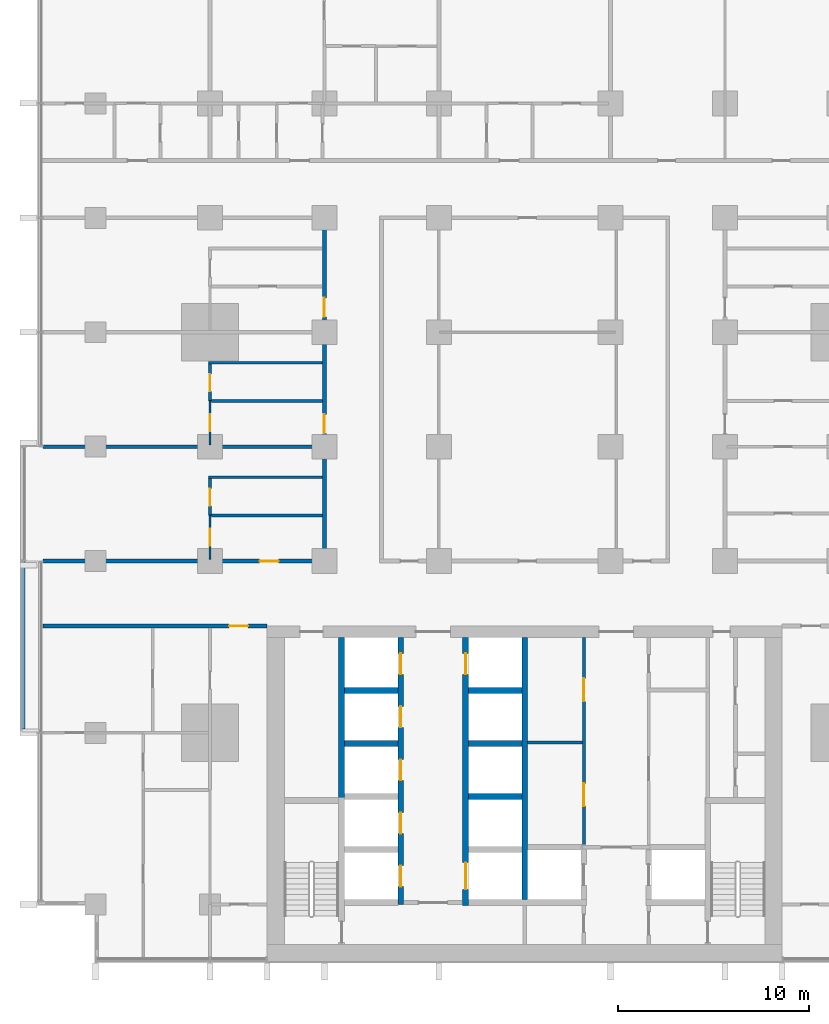
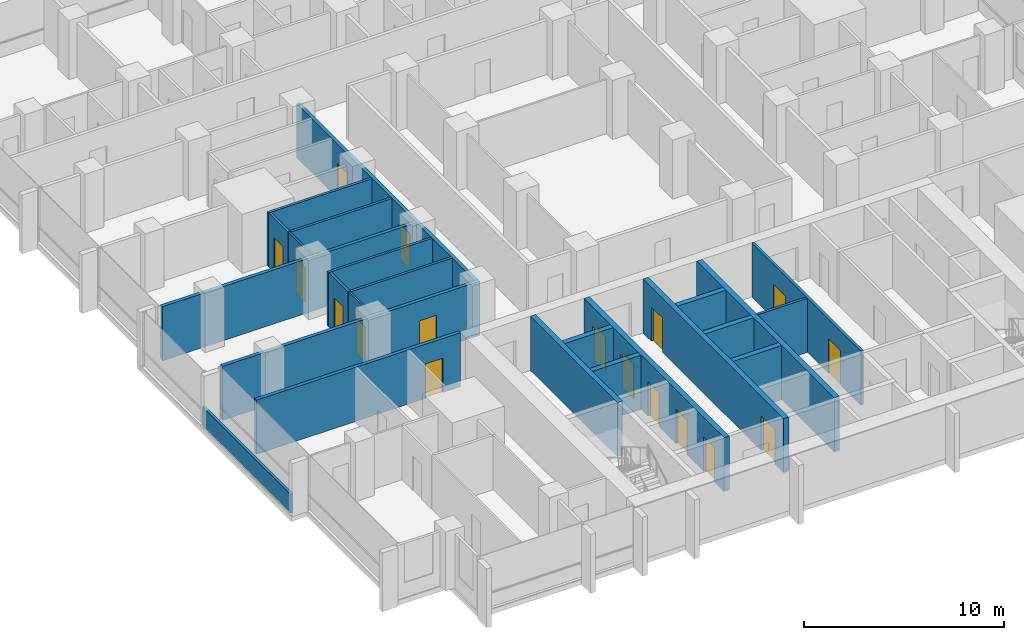
# One storey, part 8 of 17: 24 walls, 17 doors, 17 openings.
"""IFC4 building model written with IfcOpenShell, lengths in metres."""

import ifcopenshell
import ifcopenshell.guid

model = None  # the IFC model being written
_history = None  # IfcOwnerHistory: only IFC2X3 demands one
_inside = {}  # id of a spatial element -> (the spatial element, [elements in it])
_under = {}  # id of a project, library or spatial element -> (it, [spatial elements below it])
_declared = {}  # id of a project -> (the project, [libraries it declares])
_typed = {}  # id of a type object -> (the type object, [elements of that type])
_made_of = {}  # id of a material, layer set ... -> (it, [elements and type objects made of it])


def new_model(schema):
    """Start an empty IFC model of exactly this schema.

    Asked for "IFC4X3", IfcOpenShell would pick the latest addendum, in which some entities
    have other attributes; the version numbers below select the first issue.
    IFC2X3 requires an IfcOwnerHistory on every rooted entity: one is made here for all.
    """
    global model, _history
    if schema == "IFC4X3":
        model = ifcopenshell.file(schema_version=(4, 3, 0, 0))
    else:
        model = ifcopenshell.file(schema=schema)
    _inside.clear()
    _under.clear()
    _declared.clear()
    _typed.clear()
    _made_of.clear()
    _history = None
    if model.schema == "IFC2X3":
        org = make("IfcOrganization", Name="unknown")
        user = make(
            "IfcPersonAndOrganization",
            ThePerson=make("IfcPerson", FamilyName="unknown"),
            TheOrganization=org,
        )
        app = make(
            "IfcApplication",
            ApplicationDeveloper=org,
            Version="unknown",
            ApplicationFullName="unknown",
            ApplicationIdentifier="unknown",
        )
        _history = make(
            "IfcOwnerHistory",
            OwningUser=user,
            OwningApplication=app,
            ChangeAction="ADDED",
            CreationDate=0,
        )
    return model


def make(cls, **values):
    """One entity of the class cls with the attributes given. An attribute that is None is left unset."""
    return model.create_entity(
        cls, **{name: value for name, value in values.items() if value is not None}
    )


def rooted(cls, **values):
    """An entity with a GlobalId (a new one), such as an element, a storey or a relation."""
    return make(cls, GlobalId=ifcopenshell.guid.new(), OwnerHistory=_history, **values)


def si_unit(unit_type, name, prefix=None):
    """IfcSIUnit, for example si_unit("LENGTHUNIT", "METRE", prefix="MILLI")."""
    return make("IfcSIUnit", UnitType=unit_type, Prefix=prefix, Name=name)


def assignment(units):
    """IfcUnitAssignment: the units of a project."""
    return None if units is None else make("IfcUnitAssignment", Units=units)


def point(xyz):
    """IfcCartesianPoint."""
    return None if xyz is None else make("IfcCartesianPoint", Coordinates=xyz)


def direction(xyz):
    """IfcDirection."""
    return None if xyz is None else make("IfcDirection", DirectionRatios=xyz)


def frame(location, z_axis=None, x_axis=None):
    """IfcAxis2Placement3D, a coordinate frame: its origin and axes. An axis left out is left unset."""
    return make(
        "IfcAxis2Placement3D",
        Location=point(location),
        Axis=direction(z_axis),
        RefDirection=direction(x_axis),
    )


def frame_2d(location, x_axis=None):
    """IfcAxis2Placement2D, a coordinate frame in the plane: its origin and x axis."""
    return make(
        "IfcAxis2Placement2D", Location=point(location), RefDirection=direction(x_axis)
    )


def origin():
    """The frame at (0, 0, 0) with its axes left unset."""
    return frame((0.0, 0.0, 0.0))


def place(relative_to, where):
    """IfcLocalPlacement: puts the frame where relative to a parent placement (None: the world)."""
    return make(
        "IfcLocalPlacement", PlacementRelTo=relative_to, RelativePlacement=where
    )


def context(
    kind, dimensions, precision=None, world=None, true_north=None, identifier=None
):
    """IfcGeometricRepresentationContext, for example the 3D "Model" context."""
    return make(
        "IfcGeometricRepresentationContext",
        ContextIdentifier=identifier,
        ContextType=kind,
        CoordinateSpaceDimension=dimensions,
        Precision=precision,
        WorldCoordinateSystem=world,
        TrueNorth=true_north,
    )


def subcontext(parent, identifier, kind, view, scale=None):
    """IfcGeometricRepresentationSubContext, for example "Body" below "Model"."""
    return make(
        "IfcGeometricRepresentationSubContext",
        ContextIdentifier=identifier,
        ContextType=kind,
        ParentContext=parent,
        TargetScale=scale,
        TargetView=view,
    )


def project(units=None, contexts=None):
    """IfcProject with its units and contexts."""
    return rooted(
        "IfcProject",
        Name="project",
        RepresentationContexts=contexts,
        UnitsInContext=assignment(units),
    )


def spatial(cls, under=None, at=None, **own):
    """A site, building, storey or space (cls), placed at a placement, below another one or the project."""
    s = rooted(cls, ObjectPlacement=at, **own)
    if under is not None:
        _under.setdefault(under.id(), (under, []))[1].append(s)
    return s


def profile(cls, at=None, kind="AREA", **sizes):
    """A parametric profile (cls). Its sizes go by their IFC names, for example OverallWidth=200.0."""
    return make(cls, ProfileType=kind, Position=at, **sizes)


def rectangle(**sizes):
    """IfcRectangleProfileDef."""
    return profile("IfcRectangleProfileDef", **sizes)


def extrude(swept, where, along, depth):
    """IfcExtrudedAreaSolid: the profile swept, set in the frame where, extruded along a direction by depth."""
    return make(
        "IfcExtrudedAreaSolid",
        SweptArea=swept,
        Position=where,
        ExtrudedDirection=direction(along),
        Depth=depth,
    )


def shape(context_of_items, identifier, shape_type, items):
    """IfcShapeRepresentation: the items that make up one representation, for example the "Body"."""
    return make(
        "IfcShapeRepresentation",
        ContextOfItems=context_of_items,
        RepresentationIdentifier=identifier,
        RepresentationType=shape_type,
        Items=items,
    )


def material(Name=None, Category=None):
    """IfcMaterial."""
    return make("IfcMaterial", Name=Name, Category=Category)


def layer(
    of_material, thickness, ventilated=None, Name=None, Category=None, Priority=None
):
    """IfcMaterialLayer: one layer of a wall or slab, of a material (None: an air gap)."""
    return make(
        "IfcMaterialLayer",
        Material=of_material,
        LayerThickness=thickness,
        IsVentilated=ventilated,
        Name=Name,
        Category=Category,
        Priority=Priority,
    )


def layer_set(layers, Name=None):
    """IfcMaterialLayerSet."""
    return make("IfcMaterialLayerSet", MaterialLayers=layers, LayerSetName=Name)


def made_of(thing, what):
    """Note that an element or type object is made of a material, layer set ...; save() writes the relation."""
    if what is not None:
        _made_of.setdefault(what.id(), (what, []))[1].append(thing)
    return thing


def type_object(cls, material=None, **own):
    """A type object (cls), such as IfcWallType, which elements share."""
    return made_of(rooted(cls, **own), material)


def element(
    cls,
    number,
    at=None,
    inside=None,
    cuts=None,
    type_object=None,
    material=None,
    context=None,
    identifier="Body",
    shape_type=None,
    held_by="IfcProductDefinitionShape",
    body=None,
    shapes=None,
    **own,
):
    """One element of the class cls, such as IfcWall. Its Tag is "e" and its number.

    at: its placement. inside: the storey or other place that contains it. cuts: it is an
    opening in that element (IfcRelVoidsElement). A single representation is given by context,
    identifier, shape_type and body (its items); several are given by shapes. held_by: the class
    of the entity that holds the representations. save() writes the other relations.
    """
    e = rooted(cls, Tag="e%d" % number, ObjectPlacement=at, **own)
    if body is not None:
        shapes = [shape(context, identifier, shape_type, body)]
    if shapes is not None:
        e.Representation = make(held_by, Representations=shapes)
    if inside is not None:
        _inside.setdefault(inside.id(), (inside, []))[1].append(e)
    if cuts is not None:
        rooted(
            "IfcRelVoidsElement", RelatingBuildingElement=cuts, RelatedOpeningElement=e
        )
    if type_object is not None:
        _typed.setdefault(type_object.id(), (type_object, []))[1].append(e)
    return made_of(e, material)


def fill(opening, filler):
    """IfcRelFillsElement: the door or window that sits in an opening."""
    return rooted(
        "IfcRelFillsElement",
        RelatingOpeningElement=opening,
        RelatedBuildingElement=filler,
    )


def aggregate(whole, parts):
    """IfcRelAggregates: a whole, such as a stair, and the parts it consists of."""
    return rooted("IfcRelAggregates", RelatingObject=whole, RelatedObjects=parts)


def save(model, path):
    """Write the relations noted so far, then the file.

    IfcRelAggregates (storeys below a building ...), IfcRelContainedInSpatialStructure (elements
    in a storey), IfcRelDefinesByType, IfcRelAssociatesMaterial and IfcRelDeclares: one each for
    every whole, place, type object, material and project.
    """
    for whole, parts in _under.values():
        aggregate(whole, parts)
    for where, things in _inside.values():
        rooted(
            "IfcRelContainedInSpatialStructure",
            RelatedElements=things,
            RelatingStructure=where,
        )
    for kind, things in _typed.values():
        rooted("IfcRelDefinesByType", RelatedObjects=things, RelatingType=kind)
    for what, things in _made_of.values():
        rooted("IfcRelAssociatesMaterial", RelatedObjects=things, RelatingMaterial=what)
    for by, libraries in _declared.values():
        rooted("IfcRelDeclares", RelatingContext=by, RelatedDefinitions=libraries)
    model.write(path)


model = new_model("IFC4")

# Units and contexts
model_context = context("Model", 3, precision=1e-05, world=origin(), true_north=direction((0.0, 1.0)))
body_context = subcontext(model_context, "Body", "Model", "MODEL_VIEW")
ifc_project = project(units=[si_unit("LENGTHUNIT", "METRE"), si_unit("AREAUNIT", "SQUARE_METRE"), si_unit("VOLUMEUNIT", "CUBIC_METRE"), si_unit("PLANEANGLEUNIT", "RADIAN"), si_unit("MASSUNIT", "GRAM", prefix="KILO")], contexts=[model_context])

# Site, building, storey
site_placement = place(None, origin())
site = spatial("IfcSite", under=ifc_project, at=site_placement, CompositionType="ELEMENT")
building_placement = place(site_placement, origin())
building = spatial("IfcBuilding", under=site, at=building_placement, Name="Finial Court Residences", CompositionType="ELEMENT")
storey_placement = place(building_placement, frame((0.0, 0.0, 64.89990234375)))
storey = spatial("IfcBuildingStorey", under=building, at=storey_placement, Name="L15", CompositionType="ELEMENT", Elevation=64.89990234375)

# Walls
ifc_material_1 = material(Name="Gypsum board")
ifc_layer_1 = layer(ifc_material_1, 0.02490234375)
ifc_material_2 = material(Name="Acoustic mineral wool in double frame")
ifc_layer_2 = layer(ifc_material_2, 0.14990234375)
ifc_layer_3 = layer(ifc_material_1, 0.02490234375)
ifc_layer_set_1 = layer_set([ifc_layer_1, ifc_layer_2, ifc_layer_3], Name="Acoustic party wall 200, 1 hour")
wall_type_1 = type_object("IfcWallType", Name="Acoustic party wall 200, 1 hour", PredefinedType="PARTITIONING", material=ifc_layer_set_1)
wall_1_placement = place(storey_placement, frame((-25.25, 1.5, 0.0), z_axis=(0.0, 0.0, 1.0), x_axis=(1.0, 0.0, 0.0)))
element("IfcWall", 1, at=wall_1_placement, inside=storey, type_object=wall_type_1, Name="Partition L15-016", PredefinedType="PARTITIONING", context=body_context, shape_type="SweptSolid", body=[
    extrude(rectangle(XDim=14.64990234375, YDim=0.199951171875, at=frame_2d((7.324951171875, 0.0))), origin(), (0.0, 0.0, 1.0), 3.300048828125),
])
ifc_material_3 = material(Name="Fire-rated gypsum board partition")
ifc_layer_4 = layer(ifc_material_3, 0.14990234375)
ifc_layer_set_2 = layer_set([ifc_layer_4], Name="Core room partition 150 EI 60")
wall_type_2 = type_object("IfcWallType", Name="Core room partition 150 EI 60", PredefinedType="PARTITIONING", material=ifc_layer_set_2)
wall_2_placement = place(storey_placement, frame((0.14990234375, -14.0, 0.0), z_axis=(0.0, 0.0, 1.0), x_axis=(1.0, 0.0, 0.0)))
element("IfcWall", 2, at=wall_2_placement, inside=storey, type_object=wall_type_2, Name="Core partition L15-17", PredefinedType="PARTITIONING", context=body_context, shape_type="SweptSolid", body=[
    extrude(rectangle(XDim=2.875, YDim=0.14990234375, at=frame_2d((1.4375, 0.0))), origin(), (0.0, 0.0, 1.0), 3.300048828125),
])

# Wall, openings, doors
wall_3_placement = place(storey_placement, frame((3.10009765625, -19.39990234375, 0.0), z_axis=(0.0, 0.0, 1.0), x_axis=(0.0, 1.0, 0.0)))
wall_3 = element("IfcWall", 3, at=wall_3_placement, inside=storey, type_object=wall_type_2, Name="Core partition L15-29", PredefinedType="PARTITIONING", context=body_context, shape_type="SweptSolid", body=[
    extrude(rectangle(XDim=10.89990234375, YDim=0.14990234375, at=frame_2d((5.449951171875, 0.0))), origin(), (0.0, 0.0, 1.0), 3.300048828125),
])
opening_1_placement = place(wall_3_placement, frame((2.050048828125, 0.0, 0.0)))
opening_1 = element("IfcOpeningElement", 4, at=opening_1_placement, cuts=wall_3, Name="Opening L15-C12", PredefinedType="OPENING", context=body_context, shape_type="SweptSolid", body=[
    extrude(rectangle(XDim=1.199951171875, YDim=2.10009765625, at=frame_2d((0.60009765625, 1.050048828125))), frame((0.0, 0.0849609375, 0.0), z_axis=(0.0, -1.0, 0.0), x_axis=(1.0, 0.0, 0.0)), (0.0, 0.0, 1.0), 0.169921875),
])
opening_2_placement = place(wall_3_placement, frame((7.550048828125, 0.0, 0.0)))
opening_2 = element("IfcOpeningElement", 5, at=opening_2_placement, cuts=wall_3, Name="Opening L15-C13", PredefinedType="OPENING", context=body_context, shape_type="SweptSolid", body=[
    extrude(rectangle(XDim=1.199951171875, YDim=2.10009765625, at=frame_2d((0.60009765625, 1.050048828125))), frame((0.0, 0.0849609375, 0.0), z_axis=(0.0, -1.0, 0.0), x_axis=(1.0, 0.0, 0.0)), (0.0, 0.0, 1.0), 0.169921875),
])
ifc_material_4 = material(Name="Steel fire door", Category="steel")
door_type_1 = type_object("IfcDoorType", Name="Core room door 1200 x 2100 EI 60", OperationType="NOTDEFINED", PredefinedType="DOOR", material=ifc_material_4)
door_1_placement = place(opening_1_placement, origin())
door_1 = element("IfcDoor", 6, at=door_1_placement, inside=storey, type_object=door_type_1, Name="Core room door L15-C12", OperationType="SINGLE_SWING_LEFT", OverallHeight=2.10009765625, OverallWidth=1.199951171875, PredefinedType="DOOR", context=body_context, shape_type="SweptSolid", body=[
    extrude(rectangle(XDim=1.199951171875, YDim=2.10009765625, at=frame_2d((0.60009765625, 1.050048828125))), frame((0.0, 0.02490234375, 0.0), z_axis=(0.0, -1.0, 0.0), x_axis=(1.0, 0.0, 0.0)), (0.0, 0.0, 1.0), 0.050048828125),
])
fill(opening_1, door_1)
door_2_placement = place(opening_2_placement, origin())
door_2 = element("IfcDoor", 7, at=door_2_placement, inside=storey, type_object=door_type_1, Name="Core room door L15-C13", OperationType="SINGLE_SWING_LEFT", OverallHeight=2.10009765625, OverallWidth=1.199951171875, PredefinedType="DOOR", context=body_context, shape_type="SweptSolid", body=[
    extrude(rectangle(XDim=1.199951171875, YDim=2.10009765625, at=frame_2d((0.60009765625, 1.050048828125))), frame((0.0, 0.02490234375, 0.0), z_axis=(0.0, -1.0, 0.0), x_axis=(1.0, 0.0, 0.0)), (0.0, 0.0, 1.0), 0.050048828125),
])
fill(opening_2, door_2)

# Wall, opening, door
ifc_layer_5 = layer(ifc_material_1, 0.02490234375)
ifc_layer_6 = layer(ifc_material_2, 0.14990234375)
ifc_layer_7 = layer(ifc_material_1, 0.02490234375)
ifc_layer_set_3 = layer_set([ifc_layer_5, ifc_layer_6, ifc_layer_7], Name="Corridor wall 200, 1 hour")
wall_type_3 = type_object("IfcWallType", Name="Corridor wall 200, 1 hour", PredefinedType="PARTITIONING", material=ifc_layer_set_3)
wall_4_placement = place(storey_placement, frame((-25.25, -7.89990234375, 0.0), z_axis=(0.0, 0.0, 1.0), x_axis=(1.0, 0.0, 0.0)))
wall_4 = element("IfcWall", 8, at=wall_4_placement, inside=storey, type_object=wall_type_3, Name="Partition L15-007", PredefinedType="PARTITIONING", context=body_context, shape_type="SweptSolid", body=[
    extrude(rectangle(XDim=11.75, YDim=0.199951171875, at=frame_2d((5.875, 0.0))), origin(), (0.0, 0.0, 1.0), 3.300048828125),
])
opening_3_placement = place(wall_4_placement, frame((9.75, 0.0, 0.0)))
opening_3 = element("IfcOpeningElement", 9, at=opening_3_placement, cuts=wall_4, Name="Opening L15-D005", PredefinedType="OPENING", context=body_context, shape_type="SweptSolid", body=[
    extrude(rectangle(XDim=1.0, YDim=2.10009765625, at=frame_2d((0.5, 1.050048828125))), frame((0.0, 0.10986328125, 0.0), z_axis=(0.0, -1.0, 0.0), x_axis=(1.0, 0.0, 0.0)), (0.0, 0.0, 1.0), 0.219970703125),
])
ifc_material_5 = material(Name="Timber door leaf in hollow metal frame", Category="wood")
door_type_2 = type_object("IfcDoorType", Name="Fire door set 1000 x 2100, 30 minutes", OperationType="SINGLE_SWING_LEFT", PredefinedType="DOOR", material=ifc_material_5)
door_3_placement = place(opening_3_placement, origin())
door_3 = element("IfcDoor", 10, at=door_3_placement, inside=storey, type_object=door_type_2, Name="Door L15-D005", OperationType="SINGLE_SWING_RIGHT", OverallHeight=2.10009765625, OverallWidth=1.0, PredefinedType="DOOR", context=body_context, shape_type="SweptSolid", body=[
    extrude(rectangle(XDim=1.0, YDim=2.10009765625, at=frame_2d((0.5, 1.050048828125))), frame((0.0, 0.02490234375, 0.0), z_axis=(0.0, -1.0, 0.0), x_axis=(1.0, 0.0, 0.0)), (0.0, 0.0, 1.0), 0.050048828125),
])
fill(opening_3, door_3)

wall_5_placement = place(storey_placement, frame((-25.25, -4.5, 0.0), z_axis=(0.0, 0.0, 1.0), x_axis=(1.0, 0.0, 0.0)))
wall_5 = element("IfcWall", 11, at=wall_5_placement, inside=storey, type_object=wall_type_3, Name="Partition L15-009", PredefinedType="PARTITIONING", context=body_context, shape_type="SweptSolid", body=[
    extrude(rectangle(XDim=14.85009765625, YDim=0.199951171875, at=frame_2d((7.425048828125, 0.0))), origin(), (0.0, 0.0, 1.0), 3.300048828125),
])
opening_4_placement = place(wall_5_placement, frame((11.35009765625, 0.0, 0.0)))
opening_4 = element("IfcOpeningElement", 12, at=opening_4_placement, cuts=wall_5, Name="Opening L15-D007", PredefinedType="OPENING", context=body_context, shape_type="SweptSolid", body=[
    extrude(rectangle(XDim=1.0, YDim=2.10009765625, at=frame_2d((0.5, 1.050048828125))), frame((0.0, 0.10986328125, 0.0), z_axis=(0.0, -1.0, 0.0), x_axis=(1.0, 0.0, 0.0)), (0.0, 0.0, 1.0), 0.219970703125),
])
door_4_placement = place(opening_4_placement, origin())
door_4 = element("IfcDoor", 13, at=door_4_placement, inside=storey, type_object=door_type_2, Name="Door L15-D007", OperationType="SINGLE_SWING_LEFT", OverallHeight=2.10009765625, OverallWidth=1.0, PredefinedType="DOOR", context=body_context, shape_type="SweptSolid", body=[
    extrude(rectangle(XDim=1.0, YDim=2.10009765625, at=frame_2d((0.5, 1.050048828125))), frame((0.0, 0.02490234375, 0.0), z_axis=(0.0, -1.0, 0.0), x_axis=(1.0, 0.0, 0.0)), (0.0, 0.0, 1.0), 0.050048828125),
])
fill(opening_4, door_4)

# Wall, openings, doors
wall_6_placement = place(storey_placement, frame((-10.5, -4.39990234375, 0.0), z_axis=(0.0, 0.0, 1.0), x_axis=(0.0, 1.0, 0.0)))
wall_6 = element("IfcWall", 14, at=wall_6_placement, inside=storey, type_object=wall_type_3, Name="Partition L15-063", PredefinedType="PARTITIONING", context=body_context, shape_type="SweptSolid", body=[
    extrude(rectangle(XDim=17.7998046875, YDim=0.199951171875, at=frame_2d((8.89990234375, 0.0))), origin(), (0.0, 0.0, 1.0), 3.300048828125),
])
opening_5_placement = place(wall_6_placement, frame((6.60009765625, 0.0, 0.0)))
opening_5 = element("IfcOpeningElement", 15, at=opening_5_placement, cuts=wall_6, Name="Opening L15-D046", PredefinedType="OPENING", context=body_context, shape_type="SweptSolid", body=[
    extrude(rectangle(XDim=1.0, YDim=2.10009765625, at=frame_2d((0.5, 1.050048828125))), frame((0.0, 0.10986328125, 0.0), z_axis=(0.0, -1.0, 0.0), x_axis=(1.0, 0.0, 0.0)), (0.0, 0.0, 1.0), 0.219970703125),
])
opening_6_placement = place(wall_6_placement, frame((12.699951171875, 0.0, 0.0)))
opening_6 = element("IfcOpeningElement", 16, at=opening_6_placement, cuts=wall_6, Name="Opening L15-D047", PredefinedType="OPENING", context=body_context, shape_type="SweptSolid", body=[
    extrude(rectangle(XDim=1.0, YDim=2.10009765625, at=frame_2d((0.5, 1.050048828125))), frame((0.0, 0.10986328125, 0.0), z_axis=(0.0, -1.0, 0.0), x_axis=(1.0, 0.0, 0.0)), (0.0, 0.0, 1.0), 0.219970703125),
])
door_5_placement = place(opening_5_placement, origin())
door_5 = element("IfcDoor", 17, at=door_5_placement, inside=storey, type_object=door_type_2, Name="Door L15-D046", OperationType="SINGLE_SWING_RIGHT", OverallHeight=2.10009765625, OverallWidth=1.0, PredefinedType="DOOR", context=body_context, shape_type="SweptSolid", body=[
    extrude(rectangle(XDim=1.0, YDim=2.10009765625, at=frame_2d((0.5, 1.050048828125))), frame((0.0, 0.02490234375, 0.0), z_axis=(0.0, -1.0, 0.0), x_axis=(1.0, 0.0, 0.0)), (0.0, 0.0, 1.0), 0.050048828125),
])
fill(opening_5, door_5)
door_6_placement = place(opening_6_placement, origin())
door_6 = element("IfcDoor", 18, at=door_6_placement, inside=storey, type_object=door_type_2, Name="Door L15-D047", OperationType="SINGLE_SWING_LEFT", OverallHeight=2.10009765625, OverallWidth=1.0, PredefinedType="DOOR", context=body_context, shape_type="SweptSolid", body=[
    extrude(rectangle(XDim=1.0, YDim=2.10009765625, at=frame_2d((0.5, 1.050048828125))), frame((0.0, 0.02490234375, 0.0), z_axis=(0.0, -1.0, 0.0), x_axis=(1.0, 0.0, 0.0)), (0.0, 0.0, 1.0), 0.050048828125),
])
fill(opening_6, door_6)

# Wall, opening, door
ifc_layer_8 = layer(ifc_material_1, 0.012451171875)
ifc_material_6 = material(Name="Mineral wool in light-gauge frame")
ifc_layer_9 = layer(ifc_material_6, 0.074951171875)
ifc_layer_10 = layer(ifc_material_1, 0.012451171875)
ifc_layer_set_4 = layer_set([ifc_layer_8, ifc_layer_9, ifc_layer_10], Name="Gypsum board partition 100")
wall_type_4 = type_object("IfcWallType", Name="Gypsum board partition 100", PredefinedType="PARTITIONING", material=ifc_layer_set_4)
wall_7_placement = place(storey_placement, frame((-16.5, -4.39990234375, 0.0), z_axis=(0.0, 0.0, 1.0), x_axis=(0.0, 1.0, 0.0)))
wall_7 = element("IfcWall", 19, at=wall_7_placement, inside=storey, type_object=wall_type_4, Name="Partition L15-050", PredefinedType="PARTITIONING", context=body_context, shape_type="SweptSolid", body=[
    extrude(rectangle(XDim=2.2998046875, YDim=0.10009765625, at=frame_2d((1.14990234375, 0.0))), origin(), (0.0, 0.0, 1.0), 3.300048828125),
])
opening_7_placement = place(wall_7_placement, frame((0.699951171875, 0.0, 0.0)))
opening_7 = element("IfcOpeningElement", 20, at=opening_7_placement, cuts=wall_7, Name="Opening L15-D037", PredefinedType="OPENING", context=body_context, shape_type="SweptSolid", body=[
    extrude(rectangle(XDim=0.89990234375, YDim=2.10009765625, at=frame_2d((0.449951171875, 1.050048828125))), frame((0.0, 0.06005859375, 0.0), z_axis=(0.0, -1.0, 0.0), x_axis=(1.0, 0.0, 0.0)), (0.0, 0.0, 1.0), 0.1201171875),
])
ifc_material_7 = material(Name="Timber door leaf in timber frame", Category="wood")
door_type_3 = type_object("IfcDoorType", Name="Door set 900 x 2100", OperationType="SINGLE_SWING_LEFT", PredefinedType="DOOR", material=ifc_material_7)
door_7_placement = place(opening_7_placement, origin())
door_7 = element("IfcDoor", 21, at=door_7_placement, inside=storey, type_object=door_type_3, Name="Door L15-D037", OperationType="SINGLE_SWING_LEFT", OverallHeight=2.10009765625, OverallWidth=0.89990234375, PredefinedType="DOOR", context=body_context, shape_type="SweptSolid", body=[
    extrude(rectangle(XDim=0.89990234375, YDim=2.10009765625, at=frame_2d((0.449951171875, 1.050048828125))), frame((0.0, 0.02490234375, 0.0), z_axis=(0.0, -1.0, 0.0), x_axis=(1.0, 0.0, 0.0)), (0.0, 0.0, 1.0), 0.050048828125),
])
fill(opening_7, door_7)

wall_8_placement = place(storey_placement, frame((-16.5, 1.60009765625, 0.0), z_axis=(0.0, 0.0, 1.0), x_axis=(0.0, 1.0, 0.0)))
wall_8 = element("IfcWall", 22, at=wall_8_placement, inside=storey, type_object=wall_type_4, Name="Partition L15-051", PredefinedType="PARTITIONING", context=body_context, shape_type="SweptSolid", body=[
    extrude(rectangle(XDim=2.2998046875, YDim=0.10009765625, at=frame_2d((1.14990234375, 0.0))), origin(), (0.0, 0.0, 1.0), 3.300048828125),
])
opening_8_placement = place(wall_8_placement, frame((0.699951171875, 0.0, 0.0)))
opening_8 = element("IfcOpeningElement", 23, at=opening_8_placement, cuts=wall_8, Name="Opening L15-D038", PredefinedType="OPENING", context=body_context, shape_type="SweptSolid", body=[
    extrude(rectangle(XDim=0.89990234375, YDim=2.10009765625, at=frame_2d((0.449951171875, 1.050048828125))), frame((0.0, 0.06005859375, 0.0), z_axis=(0.0, -1.0, 0.0), x_axis=(1.0, 0.0, 0.0)), (0.0, 0.0, 1.0), 0.1201171875),
])
door_8_placement = place(opening_8_placement, origin())
door_8 = element("IfcDoor", 24, at=door_8_placement, inside=storey, type_object=door_type_3, Name="Door L15-D038", OperationType="SINGLE_SWING_RIGHT", OverallHeight=2.10009765625, OverallWidth=0.89990234375, PredefinedType="DOOR", context=body_context, shape_type="SweptSolid", body=[
    extrude(rectangle(XDim=0.89990234375, YDim=2.10009765625, at=frame_2d((0.449951171875, 1.050048828125))), frame((0.0, 0.02490234375, 0.0), z_axis=(0.0, -1.0, 0.0), x_axis=(1.0, 0.0, 0.0)), (0.0, 0.0, 1.0), 0.050048828125),
])
fill(opening_8, door_8)

# Walls
ifc_material_8 = material(Name="Moisture-resistant gypsum board")
ifc_layer_11 = layer(ifc_material_8, 0.012451171875)
ifc_layer_12 = layer(ifc_material_6, 0.125)
ifc_layer_13 = layer(ifc_material_8, 0.012451171875)
ifc_layer_set_5 = layer_set([ifc_layer_11, ifc_layer_12, ifc_layer_13], Name="Gypsum board wet-area partition 150")
wall_type_5 = type_object("IfcWallType", Name="Gypsum board wet-area partition 150", PredefinedType="PARTITIONING", material=ifc_layer_set_5)
wall_9_placement = place(storey_placement, frame((-16.425048828125, -2.10009765625, 0.0), z_axis=(0.0, 0.0, 1.0), x_axis=(1.0, 0.0, 0.0)))
element("IfcWall", 25, at=wall_9_placement, inside=storey, type_object=wall_type_5, Name="Partition L15-012", PredefinedType="PARTITIONING", context=body_context, shape_type="SweptSolid", body=[
    extrude(rectangle(XDim=5.824951171875, YDim=0.14990234375, at=frame_2d((2.91259765625, 0.0))), origin(), (0.0, 0.0, 1.0), 3.300048828125),
])
wall_10_placement = place(storey_placement, frame((-16.574951171875, -0.10009765625, 0.0), z_axis=(0.0, 0.0, 1.0), x_axis=(1.0, 0.0, 0.0)))
element("IfcWall", 26, at=wall_10_placement, inside=storey, type_object=wall_type_5, Name="Partition L15-014", PredefinedType="PARTITIONING", context=body_context, shape_type="SweptSolid", body=[
    extrude(rectangle(XDim=5.974853515625, YDim=0.14990234375, at=frame_2d((2.9873046875, 0.0))), origin(), (0.0, 0.0, 1.0), 3.300048828125),
])
wall_11_placement = place(storey_placement, frame((-16.425048828125, 3.89990234375, 0.0), z_axis=(0.0, 0.0, 1.0), x_axis=(1.0, 0.0, 0.0)))
element("IfcWall", 27, at=wall_11_placement, inside=storey, type_object=wall_type_5, Name="Partition L15-018", PredefinedType="PARTITIONING", context=body_context, shape_type="SweptSolid", body=[
    extrude(rectangle(XDim=5.824951171875, YDim=0.14990234375, at=frame_2d((2.91259765625, 0.0))), origin(), (0.0, 0.0, 1.0), 3.300048828125),
])
wall_12_placement = place(storey_placement, frame((-16.574951171875, 5.89990234375, 0.0), z_axis=(0.0, 0.0, 1.0), x_axis=(1.0, 0.0, 0.0)))
element("IfcWall", 28, at=wall_12_placement, inside=storey, type_object=wall_type_5, Name="Partition L15-020", PredefinedType="PARTITIONING", context=body_context, shape_type="SweptSolid", body=[
    extrude(rectangle(XDim=5.974853515625, YDim=0.14990234375, at=frame_2d((2.9873046875, 0.0))), origin(), (0.0, 0.0, 1.0), 3.300048828125),
])

# Wall, opening, door
wall_13_placement = place(storey_placement, frame((-16.5, -2.10009765625, 0.0), z_axis=(0.0, 0.0, 1.0), x_axis=(0.0, 1.0, 0.0)))
wall_13 = element("IfcWall", 29, at=wall_13_placement, inside=storey, type_object=wall_type_5, Name="Partition L15-057", PredefinedType="PARTITIONING", context=body_context, shape_type="SweptSolid", body=[
    extrude(rectangle(XDim=1.925048828125, YDim=0.14990234375, at=frame_2d((0.96240234375, 0.0))), origin(), (0.0, 0.0, 1.0), 3.300048828125),
])
opening_9_placement = place(wall_13_placement, frame((0.5, 0.0, 0.0)))
opening_9 = element("IfcOpeningElement", 30, at=opening_9_placement, cuts=wall_13, Name="Opening L15-D040", PredefinedType="OPENING", context=body_context, shape_type="SweptSolid", body=[
    extrude(rectangle(XDim=0.89990234375, YDim=2.10009765625, at=frame_2d((0.449951171875, 1.050048828125))), frame((0.0, 0.0849609375, 0.0), z_axis=(0.0, -1.0, 0.0), x_axis=(1.0, 0.0, 0.0)), (0.0, 0.0, 1.0), 0.169921875),
])
door_9_placement = place(opening_9_placement, origin())
door_9 = element("IfcDoor", 31, at=door_9_placement, inside=storey, type_object=door_type_3, Name="Door L15-D040", OperationType="SINGLE_SWING_LEFT", OverallHeight=2.10009765625, OverallWidth=0.89990234375, PredefinedType="DOOR", context=body_context, shape_type="SweptSolid", body=[
    extrude(rectangle(XDim=0.89990234375, YDim=2.10009765625, at=frame_2d((0.449951171875, 1.050048828125))), frame((0.0, 0.02490234375, 0.0), z_axis=(0.0, -1.0, 0.0), x_axis=(1.0, 0.0, 0.0)), (0.0, 0.0, 1.0), 0.050048828125),
])
fill(opening_9, door_9)

wall_14_placement = place(storey_placement, frame((-16.5, 3.89990234375, 0.0), z_axis=(0.0, 0.0, 1.0), x_axis=(0.0, 1.0, 0.0)))
wall_14 = element("IfcWall", 32, at=wall_14_placement, inside=storey, type_object=wall_type_5, Name="Partition L15-058", PredefinedType="PARTITIONING", context=body_context, shape_type="SweptSolid", body=[
    extrude(rectangle(XDim=1.925048828125, YDim=0.14990234375, at=frame_2d((0.96240234375, 0.0))), origin(), (0.0, 0.0, 1.0), 3.300048828125),
])
opening_10_placement = place(wall_14_placement, frame((0.5, 0.0, 0.0)))
opening_10 = element("IfcOpeningElement", 33, at=opening_10_placement, cuts=wall_14, Name="Opening L15-D041", PredefinedType="OPENING", context=body_context, shape_type="SweptSolid", body=[
    extrude(rectangle(XDim=0.89990234375, YDim=2.10009765625, at=frame_2d((0.449951171875, 1.050048828125))), frame((0.0, 0.0849609375, 0.0), z_axis=(0.0, -1.0, 0.0), x_axis=(1.0, 0.0, 0.0)), (0.0, 0.0, 1.0), 0.169921875),
])
door_10_placement = place(opening_10_placement, origin())
door_10 = element("IfcDoor", 34, at=door_10_placement, inside=storey, type_object=door_type_3, Name="Door L15-D041", OperationType="SINGLE_SWING_RIGHT", OverallHeight=2.10009765625, OverallWidth=0.89990234375, PredefinedType="DOOR", context=body_context, shape_type="SweptSolid", body=[
    extrude(rectangle(XDim=0.89990234375, YDim=2.10009765625, at=frame_2d((0.449951171875, 1.050048828125))), frame((0.0, 0.02490234375, 0.0), z_axis=(0.0, -1.0, 0.0), x_axis=(1.0, 0.0, 0.0)), (0.0, 0.0, 1.0), 0.050048828125),
])
fill(opening_10, door_10)

# Walls
ifc_material_9 = material(Name="Concrete C35/45", Category="concrete")
ifc_layer_14 = layer(ifc_material_9, 0.14990234375)
ifc_layer_set_6 = layer_set([ifc_layer_14], Name="Ledge parapet, Concrete C35/45 150")
wall_type_6 = type_object("IfcWallType", Name="Ledge parapet, Concrete C35/45 150", PredefinedType="PARAPET", material=ifc_layer_set_6)
wall_15_placement = place(storey_placement, frame((-26.27490234375, -13.300048828125, 0.0), z_axis=(0.0, 0.0, 1.0), x_axis=(0.0, 1.0, 0.0)))
element("IfcWall", 35, at=wall_15_placement, inside=storey, type_object=wall_type_6, Name="E-L15-LED2-P2", PredefinedType="PARAPET", context=body_context, shape_type="SweptSolid", body=[
    extrude(rectangle(XDim=8.840087890625, YDim=0.14990234375, at=frame_2d((4.419921875, 0.0))), origin(), (0.0, 0.0, 1.0), 1.150146484375),
])
ifc_material_10 = material(Name="Concrete C80/95", Category="concrete")
ifc_layer_15 = layer(ifc_material_10, 0.300048828125)
ifc_layer_set_7 = layer_set([ifc_layer_15], Name="Lift shaft and stair wall 300 Concrete C80/95")
wall_type_7 = type_object("IfcWallType", Name="Lift shaft and stair wall 300 Concrete C80/95", PredefinedType="SHEAR", material=ifc_layer_set_7)
for number, where, z_axis, x_axis, name in (
    (36, (-2.949951171875, -16.840087890625, 0.0), (0.0, 0.0, 1.0), (1.0, 0.0, 0.0), "Core wall L15-13"),
    (37, (-9.449951171875, -14.06005859375, 0.0), (0.0, 0.0, 1.0), (1.0, 0.0, 0.0), "Core wall L15-15"),
    (38, (-2.949951171875, -14.06005859375, 0.0), (0.0, 0.0, 1.0), (1.0, 0.0, 0.0), "Core wall L15-16"),
    (39, (-9.449951171875, -11.280029296875, 0.0), (0.0, 0.0, 1.0), (1.0, 0.0, 0.0), "Core wall L15-18"),
    (40, (-2.949951171875, -11.280029296875, 0.0), (0.0, 0.0, 1.0), (1.0, 0.0, 0.0), "Core wall L15-19"),
):
    element("IfcWall", number, at=place(storey_placement, frame(where, z_axis=z_axis, x_axis=x_axis)), inside=storey, type_object=wall_type_7, Name=name, PredefinedType="SHEAR", context=body_context, shape_type="SweptSolid", body=[
        extrude(rectangle(XDim=2.800048828125, YDim=0.300048828125, at=frame_2d((1.39990234375, 0.0))), origin(), (0.0, 0.0, 1.0), 3.300048828125),
    ])
wall_16_placement = place(storey_placement, frame((-9.60009765625, -17.199951171875, 0.0), z_axis=(0.0, 0.0, 1.0), x_axis=(0.0, 1.0, 0.0)))
element("IfcWall", 41, at=wall_16_placement, inside=storey, type_object=wall_type_7, Name="Core wall L15-22", PredefinedType="SHEAR", context=body_context, shape_type="SweptSolid", body=[
    extrude(rectangle(XDim=8.699951171875, YDim=0.300048828125, at=frame_2d((4.35009765625, 0.0))), origin(), (0.0, 0.0, 1.0), 3.300048828125),
])

# Wall, openings, doors
wall_17_placement = place(storey_placement, frame((-6.5, -22.5, 0.0), z_axis=(0.0, 0.0, 1.0), x_axis=(0.0, 1.0, 0.0)))
wall_17 = element("IfcWall", 42, at=wall_17_placement, inside=storey, type_object=wall_type_7, Name="Core wall L15-23", PredefinedType="SHEAR", context=body_context, shape_type="SweptSolid", body=[
    extrude(rectangle(XDim=14.0, YDim=0.300048828125, at=frame_2d((7.0, 0.0))), origin(), (0.0, 0.0, 1.0), 3.300048828125),
])
opening_11_placement = place(wall_17_placement, frame((0.93994140625, 0.0, 0.0)))
opening_11 = element("IfcOpeningElement", 43, at=opening_11_placement, cuts=wall_17, Name="Opening L15-LD03", PredefinedType="OPENING", context=body_context, shape_type="SweptSolid", body=[
    extrude(rectangle(XDim=1.10009765625, YDim=2.10009765625, at=frame_2d((0.550048828125, 1.050048828125))), frame((0.0, 0.159912109375, 0.0), z_axis=(0.0, -1.0, 0.0), x_axis=(1.0, 0.0, 0.0)), (0.0, 0.0, 1.0), 0.320068359375),
])
opening_12_placement = place(wall_17_placement, frame((3.719970703125, 0.0, 0.0)))
opening_12 = element("IfcOpeningElement", 44, at=opening_12_placement, cuts=wall_17, Name="Opening L15-LD04", PredefinedType="OPENING", context=body_context, shape_type="SweptSolid", body=[
    extrude(rectangle(XDim=1.10009765625, YDim=2.10009765625, at=frame_2d((0.550048828125, 1.050048828125))), frame((0.0, 0.159912109375, 0.0), z_axis=(0.0, -1.0, 0.0), x_axis=(1.0, 0.0, 0.0)), (0.0, 0.0, 1.0), 0.320068359375),
])
opening_13_placement = place(wall_17_placement, frame((6.5, 0.0, 0.0)))
opening_13 = element("IfcOpeningElement", 45, at=opening_13_placement, cuts=wall_17, Name="Opening L15-LD05", PredefinedType="OPENING", context=body_context, shape_type="SweptSolid", body=[
    extrude(rectangle(XDim=1.10009765625, YDim=2.10009765625, at=frame_2d((0.550048828125, 1.050048828125))), frame((0.0, 0.159912109375, 0.0), z_axis=(0.0, -1.0, 0.0), x_axis=(1.0, 0.0, 0.0)), (0.0, 0.0, 1.0), 0.320068359375),
])
opening_14_placement = place(wall_17_placement, frame((9.280029296875, 0.0, 0.0)))
opening_14 = element("IfcOpeningElement", 46, at=opening_14_placement, cuts=wall_17, Name="Opening L15-LD06", PredefinedType="OPENING", context=body_context, shape_type="SweptSolid", body=[
    extrude(rectangle(XDim=1.10009765625, YDim=2.10009765625, at=frame_2d((0.550048828125, 1.050048828125))), frame((0.0, 0.159912109375, 0.0), z_axis=(0.0, -1.0, 0.0), x_axis=(1.0, 0.0, 0.0)), (0.0, 0.0, 1.0), 0.320068359375),
])
opening_15_placement = place(wall_17_placement, frame((12.06005859375, 0.0, 0.0)))
opening_15 = element("IfcOpeningElement", 47, at=opening_15_placement, cuts=wall_17, Name="Opening L15-LD07", PredefinedType="OPENING", context=body_context, shape_type="SweptSolid", body=[
    extrude(rectangle(XDim=1.10009765625, YDim=2.10009765625, at=frame_2d((0.550048828125, 1.050048828125))), frame((0.0, 0.159912109375, 0.0), z_axis=(0.0, -1.0, 0.0), x_axis=(1.0, 0.0, 0.0)), (0.0, 0.0, 1.0), 0.320068359375),
])
ifc_material_11 = material(Name="Stainless steel lift door", Category="steel")
door_type_4 = type_object("IfcDoorType", Name="Lift landing door 1100 x 2100 EI 90", OperationType="DOUBLE_DOOR_SLIDING", PredefinedType="DOOR", material=ifc_material_11)
door_11_placement = place(opening_11_placement, origin())
door_11 = element("IfcDoor", 48, at=door_11_placement, inside=storey, type_object=door_type_4, Name="Lift landing door LR1 L15", OperationType="DOUBLE_DOOR_SLIDING", OverallHeight=2.10009765625, OverallWidth=1.10009765625, PredefinedType="DOOR", context=body_context, shape_type="SweptSolid", body=[
    extrude(rectangle(XDim=1.10009765625, YDim=2.10009765625, at=frame_2d((0.550048828125, 1.050048828125))), frame((0.0, 0.02490234375, 0.0), z_axis=(0.0, -1.0, 0.0), x_axis=(1.0, 0.0, 0.0)), (0.0, 0.0, 1.0), 0.050048828125),
])
fill(opening_11, door_11)
door_12_placement = place(opening_12_placement, origin())
door_12 = element("IfcDoor", 49, at=door_12_placement, inside=storey, type_object=door_type_4, Name="Lift landing door LR2 L15", OperationType="DOUBLE_DOOR_SLIDING", OverallHeight=2.10009765625, OverallWidth=1.10009765625, PredefinedType="DOOR", context=body_context, shape_type="SweptSolid", body=[
    extrude(rectangle(XDim=1.10009765625, YDim=2.10009765625, at=frame_2d((0.550048828125, 1.050048828125))), frame((0.0, 0.02490234375, 0.0), z_axis=(0.0, -1.0, 0.0), x_axis=(1.0, 0.0, 0.0)), (0.0, 0.0, 1.0), 0.050048828125),
])
fill(opening_12, door_12)
door_13_placement = place(opening_13_placement, origin())
door_13 = element("IfcDoor", 50, at=door_13_placement, inside=storey, type_object=door_type_4, Name="Lift landing door LR3 L15", OperationType="DOUBLE_DOOR_SLIDING", OverallHeight=2.10009765625, OverallWidth=1.10009765625, PredefinedType="DOOR", context=body_context, shape_type="SweptSolid", body=[
    extrude(rectangle(XDim=1.10009765625, YDim=2.10009765625, at=frame_2d((0.550048828125, 1.050048828125))), frame((0.0, 0.02490234375, 0.0), z_axis=(0.0, -1.0, 0.0), x_axis=(1.0, 0.0, 0.0)), (0.0, 0.0, 1.0), 0.050048828125),
])
fill(opening_13, door_13)
door_14_placement = place(opening_14_placement, origin())
door_14 = element("IfcDoor", 51, at=door_14_placement, inside=storey, type_object=door_type_4, Name="Lift landing door LR4 L15", OperationType="DOUBLE_DOOR_SLIDING", OverallHeight=2.10009765625, OverallWidth=1.10009765625, PredefinedType="DOOR", context=body_context, shape_type="SweptSolid", body=[
    extrude(rectangle(XDim=1.10009765625, YDim=2.10009765625, at=frame_2d((0.550048828125, 1.050048828125))), frame((0.0, 0.02490234375, 0.0), z_axis=(0.0, -1.0, 0.0), x_axis=(1.0, 0.0, 0.0)), (0.0, 0.0, 1.0), 0.050048828125),
])
fill(opening_14, door_14)
door_15_placement = place(opening_15_placement, origin())
door_15 = element("IfcDoor", 52, at=door_15_placement, inside=storey, type_object=door_type_4, Name="Lift landing door LR5 L15", OperationType="DOUBLE_DOOR_SLIDING", OverallHeight=2.10009765625, OverallWidth=1.10009765625, PredefinedType="DOOR", context=body_context, shape_type="SweptSolid", body=[
    extrude(rectangle(XDim=1.10009765625, YDim=2.10009765625, at=frame_2d((0.550048828125, 1.050048828125))), frame((0.0, 0.02490234375, 0.0), z_axis=(0.0, -1.0, 0.0), x_axis=(1.0, 0.0, 0.0)), (0.0, 0.0, 1.0), 0.050048828125),
])
fill(opening_15, door_15)

wall_18_placement = place(storey_placement, frame((-3.10009765625, -22.550048828125, 0.0), z_axis=(0.0, 0.0, 1.0), x_axis=(0.0, 1.0, 0.0)))
wall_18 = element("IfcWall", 53, at=wall_18_placement, inside=storey, type_object=wall_type_7, Name="Core wall L15-24", PredefinedType="SHEAR", context=body_context, shape_type="SweptSolid", body=[
    extrude(rectangle(XDim=14.050048828125, YDim=0.300048828125, at=frame_2d((7.02490234375, 0.0))), origin(), (0.0, 0.0, 1.0), 3.300048828125),
])
opening_16_placement = place(wall_18_placement, frame((12.110107421875, 0.0, 0.0)))
opening_16 = element("IfcOpeningElement", 54, at=opening_16_placement, cuts=wall_18, Name="Opening L15-LD08", PredefinedType="OPENING", context=body_context, shape_type="SweptSolid", body=[
    extrude(rectangle(XDim=1.10009765625, YDim=2.10009765625, at=frame_2d((0.550048828125, 1.050048828125))), frame((0.0, 0.159912109375, 0.0), z_axis=(0.0, -1.0, 0.0), x_axis=(1.0, 0.0, 0.0)), (0.0, 0.0, 1.0), 0.320068359375),
])
opening_17_placement = place(wall_18_placement, frame((0.840087890625, 0.0, 0.0)))
opening_17 = element("IfcOpeningElement", 55, at=opening_17_placement, cuts=wall_18, Name="Opening L15-LD09", PredefinedType="OPENING", context=body_context, shape_type="SweptSolid", body=[
    extrude(rectangle(XDim=1.39990234375, YDim=2.10009765625, at=frame_2d((0.699951171875, 1.050048828125))), frame((0.0, 0.159912109375, 0.0), z_axis=(0.0, -1.0, 0.0), x_axis=(1.0, 0.0, 0.0)), (0.0, 0.0, 1.0), 0.320068359375),
])
door_16_placement = place(opening_16_placement, origin())
door_16 = element("IfcDoor", 56, at=door_16_placement, inside=storey, type_object=door_type_4, Name="Lift landing door LR6 L15", OperationType="DOUBLE_DOOR_SLIDING", OverallHeight=2.10009765625, OverallWidth=1.10009765625, PredefinedType="DOOR", context=body_context, shape_type="SweptSolid", body=[
    extrude(rectangle(XDim=1.10009765625, YDim=2.10009765625, at=frame_2d((0.550048828125, 1.050048828125))), frame((0.0, 0.02490234375, 0.0), z_axis=(0.0, -1.0, 0.0), x_axis=(1.0, 0.0, 0.0)), (0.0, 0.0, 1.0), 0.050048828125),
])
fill(opening_16, door_16)
door_type_5 = type_object("IfcDoorType", Name="Lift landing door 1400 x 2100 EI 90", OperationType="DOUBLE_DOOR_SLIDING", PredefinedType="DOOR", material=ifc_material_11)
door_17_placement = place(opening_17_placement, origin())
door_17 = element("IfcDoor", 57, at=door_17_placement, inside=storey, type_object=door_type_5, Name="Lift landing door SV1 L15", OperationType="DOUBLE_DOOR_SLIDING", OverallHeight=2.10009765625, OverallWidth=1.39990234375, PredefinedType="DOOR", context=body_context, shape_type="SweptSolid", body=[
    extrude(rectangle(XDim=1.39990234375, YDim=2.10009765625, at=frame_2d((0.699951171875, 1.050048828125))), frame((0.0, 0.02490234375, 0.0), z_axis=(0.0, -1.0, 0.0), x_axis=(1.0, 0.0, 0.0)), (0.0, 0.0, 1.0), 0.050048828125),
])
fill(opening_17, door_17)

# Wall
wall_19_placement = place(storey_placement, frame((0.0, -22.25, 0.0), z_axis=(0.0, 0.0, 1.0), x_axis=(0.0, 1.0, 0.0)))
element("IfcWall", 58, at=wall_19_placement, inside=storey, type_object=wall_type_7, Name="Core wall L15-26", PredefinedType="SHEAR", context=body_context, shape_type="SweptSolid", body=[
    extrude(rectangle(XDim=13.75, YDim=0.300048828125, at=frame_2d((6.875, 0.0))), origin(), (0.0, 0.0, 1.0), 3.300048828125),
])

save(model, "model.ifc")
